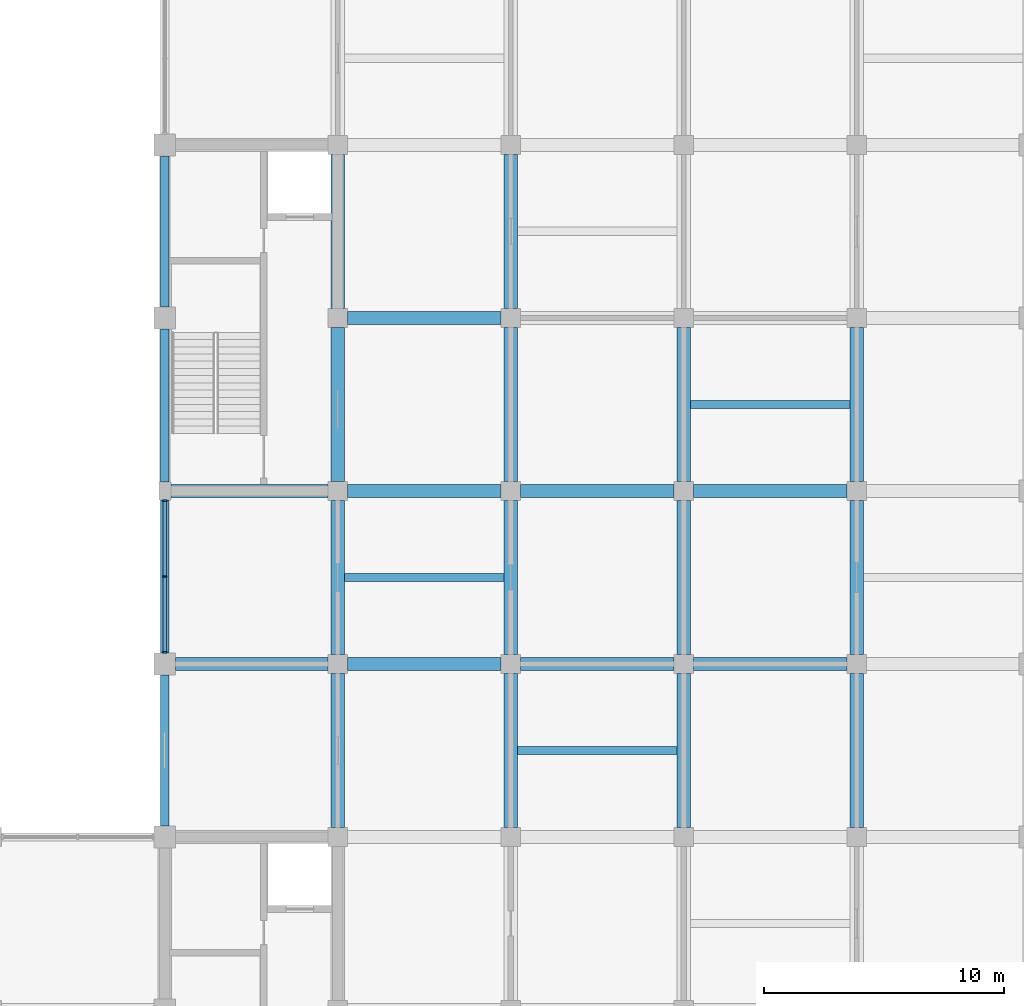
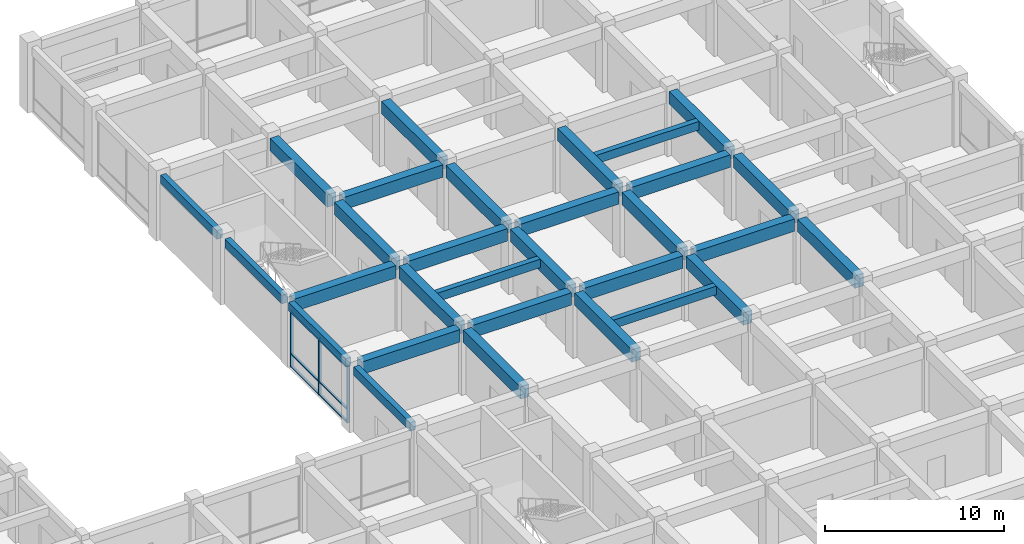
# One storey, part 14 of 75: 30 beams, 9 members, 1 element without a shape of its own.
"""IFC4 building model written with IfcOpenShell, lengths in metres."""

from ifc_helpers import new_model, si_unit, direction, frame, origin, origin_2d, place, context, subcontext, project, spatial, rectangle, extrude, material, layer, layer_set, material_profile, profile_set, type_object, element, aggregate, save


model = new_model("IFC4")

# Units and contexts
model_context = context("Model", 3, precision=1e-05, world=origin(), true_north=direction((0.0, 1.0)))
body_context = subcontext(model_context, "Body", "Model", "MODEL_VIEW")
ifc_project = project(units=[si_unit("LENGTHUNIT", "METRE"), si_unit("AREAUNIT", "SQUARE_METRE"), si_unit("VOLUMEUNIT", "CUBIC_METRE"), si_unit("PLANEANGLEUNIT", "RADIAN"), si_unit("MASSUNIT", "GRAM", prefix="KILO")], contexts=[model_context])

# Site, building, storey
site_placement = place(None, origin())
site = spatial("IfcSite", under=ifc_project, at=site_placement, CompositionType="ELEMENT")
building_placement = place(site_placement, origin())
building = spatial("IfcBuilding", under=site, at=building_placement, Name="Cendaluz Park School", CompositionType="ELEMENT")
storey_placement = place(building_placement, frame((0.0, 0.0, 4.800048828125)))
storey = spatial("IfcBuildingStorey", under=building, at=storey_placement, Name="L01", CompositionType="ELEMENT", Elevation=4.800048828125)

# Beams
ifc_material_1 = material(Name="Concrete C40/50", Category="concrete")
ifc_material_profile_1 = material_profile(ifc_material_1, rectangle(XDim=0.550048828125, YDim=0.85009765625, at=origin_2d()), Name="RC 550x850", Category="concrete")
ifc_profile_set_1 = profile_set([ifc_material_profile_1], Name="Concrete C40/50")
beam_type_1 = type_object("IfcBeamType", Name="BM-RC01", PredefinedType="BEAM", material=ifc_profile_set_1)
beam_1_placement = place(storey_placement, frame((65.25, 36.0, 4.0048828125), z_axis=(1.0, 0.0, 0.0), x_axis=(0.0, 1.0, 0.0)))
element("IfcBeam", 1, at=beam_1_placement, inside=storey, type_object=beam_type_1, Name="BM-L01-BMRC01-0086", PredefinedType="BEAM", context=body_context, shape_type="SweptSolid", body=[
    extrude(rectangle(XDim=0.550048828125, YDim=0.85009765625, at=origin_2d()), origin(), (0.0, 0.0, 1.0), 6.35009765625),
])
beam_2_placement = place(storey_placement, frame((65.050048828125, 43.199951171875, 4.0048828125), z_axis=(1.0, 0.0, 0.0), x_axis=(0.0, 1.0, 0.0)))
element("IfcBeam", 2, at=beam_2_placement, inside=storey, type_object=beam_type_1, Name="BM-L01-BMRC01-0087", PredefinedType="BEAM", context=body_context, shape_type="SweptSolid", body=[
    extrude(rectangle(XDim=0.550048828125, YDim=0.85009765625, at=origin_2d()), origin(), (0.0, 0.0, 1.0), 6.550048828125),
])
for number, where, z_axis, x_axis, name in (
    (3, (72.39990234375, 36.0, 4.0048828125), (1.0, 0.0, 0.0), (0.0, 1.0, 0.0), "BM-L01-BMRC01-0096"),
    (4, (72.39990234375, 43.199951171875, 4.0048828125), (1.0, 0.0, 0.0), (0.0, 1.0, 0.0), "BM-L01-BMRC01-0097"),
    (5, (72.39990234375, 50.39990234375, 4.0048828125), (1.0, 0.0, 0.0), (0.0, 1.0, 0.0), "BM-L01-BMRC01-0098"),
):
    element("IfcBeam", number, at=place(storey_placement, frame(where, z_axis=z_axis, x_axis=x_axis)), inside=storey, type_object=beam_type_1, Name=name, PredefinedType="BEAM", context=body_context, shape_type="SweptSolid", body=[
        extrude(rectangle(XDim=0.550048828125, YDim=0.85009765625, at=origin_2d()), origin(), (0.0, 0.0, 1.0), 6.400146484375),
    ])
for number, where, z_axis, x_axis, name in (
    (6, (79.60009765625, 36.0, 4.0048828125), (1.0, 0.0, 0.0), (0.0, 1.0, 0.0), "BM-L01-BMRC01-0107"),
    (7, (79.60009765625, 43.199951171875, 4.0048828125), (1.0, 0.0, 0.0), (0.0, 1.0, 0.0), "BM-L01-BMRC01-0108"),
    (8, (86.800048828125, 36.0, 4.0048828125), (1.0, 0.0, 0.0), (0.0, 1.0, 0.0), "BM-L01-BMRC01-0118"),
    (9, (86.800048828125, 43.199951171875, 4.0048828125), (1.0, 0.0, 0.0), (0.0, 1.0, 0.0), "BM-L01-BMRC01-0119"),
):
    element("IfcBeam", number, at=place(storey_placement, frame(where, z_axis=z_axis, x_axis=x_axis)), inside=storey, type_object=beam_type_1, Name=name, PredefinedType="BEAM", context=body_context, shape_type="SweptSolid", body=[
        extrude(rectangle(XDim=0.550048828125, YDim=0.85009765625, at=origin_2d()), origin(), (0.0, 0.0, 1.0), 6.39990234375),
    ])
for number, where, z_axis, x_axis, name in (
    (10, (72.0, 29.199951171875, 4.0048828125), (0.0, 1.0, 0.0), (-1.0, 0.0, 0.0), "BM-L01-BMRC01-0324"),
    (11, (72.0, 36.39990234375, 4.0048828125), (0.0, 1.0, 0.0), (-1.0, 0.0, 0.0), "BM-L01-BMRC01-0325"),
):
    element("IfcBeam", number, at=place(storey_placement, frame(where, z_axis=z_axis, x_axis=x_axis)), inside=storey, type_object=beam_type_1, Name=name, PredefinedType="BEAM", context=body_context, shape_type="SweptSolid", body=[
        extrude(rectangle(XDim=0.550048828125, YDim=0.85009765625, at=origin_2d()), origin(), (0.0, 0.0, 1.0), 6.400146484375),
    ])
for number, where, z_axis, x_axis, name in (
    (12, (72.0, 43.60009765625, 4.0048828125), (0.0, 1.0, 0.0), (-1.0, 0.0, 0.0), "BM-L01-BMRC01-0326"),
    (13, (72.0, 50.800048828125, 4.0048828125), (0.0, 1.0, 0.0), (-1.0, 0.0, 0.0), "BM-L01-BMRC01-0327"),
):
    element("IfcBeam", number, at=place(storey_placement, frame(where, z_axis=z_axis, x_axis=x_axis)), inside=storey, type_object=beam_type_1, Name=name, PredefinedType="BEAM", context=body_context, shape_type="SweptSolid", body=[
        extrude(rectangle(XDim=0.550048828125, YDim=0.85009765625, at=origin_2d()), origin(), (0.0, 0.0, 1.0), 6.39990234375),
    ])
for number, where, z_axis, x_axis, name in (
    (14, (79.199951171875, 29.199951171875, 4.0048828125), (0.0, 1.0, 0.0), (-1.0, 0.0, 0.0), "BM-L01-BMRC01-0334"),
    (15, (79.199951171875, 36.39990234375, 4.0048828125), (0.0, 1.0, 0.0), (-1.0, 0.0, 0.0), "BM-L01-BMRC01-0335"),
):
    element("IfcBeam", number, at=place(storey_placement, frame(where, z_axis=z_axis, x_axis=x_axis)), inside=storey, type_object=beam_type_1, Name=name, PredefinedType="BEAM", context=body_context, shape_type="SweptSolid", body=[
        extrude(rectangle(XDim=0.550048828125, YDim=0.85009765625, at=origin_2d()), origin(), (0.0, 0.0, 1.0), 6.400146484375),
    ])
for number, where, z_axis, x_axis, name in (
    (16, (79.199951171875, 43.60009765625, 4.0048828125), (0.0, 1.0, 0.0), (-1.0, 0.0, 0.0), "BM-L01-BMRC01-0336"),
    (17, (79.199951171875, 50.800048828125, 4.0048828125), (0.0, 1.0, 0.0), (-1.0, 0.0, 0.0), "BM-L01-BMRC01-0337"),
):
    element("IfcBeam", number, at=place(storey_placement, frame(where, z_axis=z_axis, x_axis=x_axis)), inside=storey, type_object=beam_type_1, Name=name, PredefinedType="BEAM", context=body_context, shape_type="SweptSolid", body=[
        extrude(rectangle(XDim=0.550048828125, YDim=0.85009765625, at=origin_2d()), origin(), (0.0, 0.0, 1.0), 6.39990234375),
    ])
for number, where, z_axis, x_axis, name in (
    (18, (86.39990234375, 29.199951171875, 4.0048828125), (0.0, 1.0, 0.0), (-1.0, 0.0, 0.0), "BM-L01-BMRC01-0344"),
    (19, (86.39990234375, 36.39990234375, 4.0048828125), (0.0, 1.0, 0.0), (-1.0, 0.0, 0.0), "BM-L01-BMRC01-0345"),
):
    element("IfcBeam", number, at=place(storey_placement, frame(where, z_axis=z_axis, x_axis=x_axis)), inside=storey, type_object=beam_type_1, Name=name, PredefinedType="BEAM", context=body_context, shape_type="SweptSolid", body=[
        extrude(rectangle(XDim=0.550048828125, YDim=0.85009765625, at=origin_2d()), origin(), (0.0, 0.0, 1.0), 6.400146484375),
    ])
beam_3_placement = place(storey_placement, frame((86.39990234375, 43.60009765625, 4.0048828125), z_axis=(0.0, 1.0, 0.0), x_axis=(-1.0, 0.0, 0.0)))
element("IfcBeam", 20, at=beam_3_placement, inside=storey, type_object=beam_type_1, Name="BM-L01-BMRC01-0346", PredefinedType="BEAM", context=body_context, shape_type="SweptSolid", body=[
    extrude(rectangle(XDim=0.550048828125, YDim=0.85009765625, at=origin_2d()), origin(), (0.0, 0.0, 1.0), 6.39990234375),
])
for number, where, z_axis, x_axis, name in (
    (21, (93.60009765625, 29.199951171875, 4.0048828125), (0.0, 1.0, 0.0), (-1.0, 0.0, 0.0), "BM-L01-BMRC01-0354"),
    (22, (93.60009765625, 36.39990234375, 4.0048828125), (0.0, 1.0, 0.0), (-1.0, 0.0, 0.0), "BM-L01-BMRC01-0355"),
):
    element("IfcBeam", number, at=place(storey_placement, frame(where, z_axis=z_axis, x_axis=x_axis)), inside=storey, type_object=beam_type_1, Name=name, PredefinedType="BEAM", context=body_context, shape_type="SweptSolid", body=[
        extrude(rectangle(XDim=0.550048828125, YDim=0.85009765625, at=origin_2d()), origin(), (0.0, 0.0, 1.0), 6.400146484375),
    ])
beam_4_placement = place(storey_placement, frame((93.60009765625, 43.60009765625, 4.0048828125), z_axis=(0.0, 1.0, 0.0), x_axis=(-1.0, 0.0, 0.0)))
element("IfcBeam", 23, at=beam_4_placement, inside=storey, type_object=beam_type_1, Name="BM-L01-BMRC01-0356", PredefinedType="BEAM", context=body_context, shape_type="SweptSolid", body=[
    extrude(rectangle(XDim=0.550048828125, YDim=0.85009765625, at=origin_2d()), origin(), (0.0, 0.0, 1.0), 6.39990234375),
])
ifc_material_profile_2 = material_profile(ifc_material_1, rectangle(XDim=0.35009765625, YDim=0.580078125, at=origin_2d()), Name="RC 350x580", Category="concrete")
ifc_profile_set_2 = profile_set([ifc_material_profile_2], Name="Concrete C40/50")
beam_type_2 = type_object("IfcBeamType", Name="BM-RC04", PredefinedType="LINTEL", material=ifc_profile_set_2)
beam_5_placement = place(storey_placement, frame((64.800048828125, 29.25, 4.139892578125), z_axis=(0.0, 1.0, 0.0), x_axis=(-1.0, 0.0, 0.0)))
element("IfcBeam", 24, at=beam_5_placement, inside=storey, type_object=beam_type_2, Name="BM-L01-BMRC04-0314", PredefinedType="LINTEL", context=body_context, shape_type="SweptSolid", body=[
    extrude(rectangle(XDim=0.35009765625, YDim=0.580078125, at=origin_2d()), origin(), (0.0, 0.0, 1.0), 6.300048828125),
])
for number, where, z_axis, x_axis, name in (
    (25, (64.800048828125, 36.449951171875, 4.139892578125), (0.0, 1.0, 0.0), (-1.0, 0.0, 0.0), "BM-L01-BMRC04-0315"),
    (26, (64.800048828125, 43.574951171875, 4.139892578125), (0.0, 1.0, 0.0), (-1.0, 0.0, 0.0), "BM-L01-BMRC04-0316"),
):
    element("IfcBeam", number, at=place(storey_placement, frame(where, z_axis=z_axis, x_axis=x_axis)), inside=storey, type_object=beam_type_2, Name=name, PredefinedType="LINTEL", context=body_context, shape_type="SweptSolid", body=[
        extrude(rectangle(XDim=0.35009765625, YDim=0.580078125, at=origin_2d()), origin(), (0.0, 0.0, 1.0), 6.375),
    ])
beam_6_placement = place(storey_placement, frame((64.800048828125, 50.85009765625, 4.139892578125), z_axis=(0.0, 1.0, 0.0), x_axis=(-1.0, 0.0, 0.0)))
element("IfcBeam", 27, at=beam_6_placement, inside=storey, type_object=beam_type_2, Name="BM-L01-BMRC04-0317", PredefinedType="LINTEL", context=body_context, shape_type="SweptSolid", body=[
    extrude(rectangle(XDim=0.35009765625, YDim=0.580078125, at=origin_2d()), origin(), (0.0, 0.0, 1.0), 6.2998046875),
])

# Curtain wall, members
ifc_material_2 = material(Name="Anodised Aluminium 6063-T6", Category="aluminium")
ifc_layer = layer(ifc_material_2, 0.179931640625)
ifc_layer_set = layer_set([ifc_layer], Name="Anodised Aluminium 6063-T6")
curtain_wall_type = type_object("IfcCurtainWallType", Name="CW-128x77", PredefinedType="NOTDEFINED", material=ifc_layer_set)
curtain_wall_placement = place(storey_placement, origin())
curtain_wall = element("IfcCurtainWall", 28, at=curtain_wall_placement, inside=storey, type_object=curtain_wall_type, Name="CW-L01-040", PredefinedType="NOTDEFINED")
ifc_material_profile_3 = material_profile(ifc_material_2, rectangle(XDim=0.179931640625, YDim=0.070068359375, at=origin_2d()), Name="CWM 180x70", Category="aluminium")
ifc_profile_set_3 = profile_set([ifc_material_profile_3], Name="Anodised Aluminium 6063-T6")
member_type_1 = type_object("IfcMemberType", Name="CWM-01", PredefinedType="MULLION", material=ifc_profile_set_3)
member_1_placement = place(storey_placement, frame((64.800048828125, 36.485107421875, 0.0), z_axis=(0.0, 0.0, 1.0), x_axis=(-1.0, 0.0, 0.0)))
member_1 = element("IfcMember", 29, at=member_1_placement, type_object=member_type_1, Name="CP-L01-0508", PredefinedType="MULLION", context=body_context, shape_type="SweptSolid", body=[
    extrude(rectangle(XDim=0.179931640625, YDim=0.070068359375, at=origin_2d()), origin(), (0.0, 0.0, 1.0), 3.849853515625),
])
member_2_placement = place(storey_placement, frame((64.800048828125, 39.637451171875, 0.0), z_axis=(0.0, 0.0, 1.0), x_axis=(-1.0, 0.0, 0.0)))
member_2 = element("IfcMember", 30, at=member_2_placement, type_object=member_type_1, Name="CP-L01-0509", PredefinedType="MULLION", context=body_context, shape_type="SweptSolid", body=[
    extrude(rectangle(XDim=0.179931640625, YDim=0.070068359375, at=origin_2d()), origin(), (0.0, 0.0, 1.0), 3.849853515625),
])
member_3_placement = place(storey_placement, frame((64.800048828125, 42.7900390625, 0.0), z_axis=(0.0, 0.0, 1.0), x_axis=(-1.0, 0.0, 0.0)))
member_3 = element("IfcMember", 31, at=member_3_placement, type_object=member_type_1, Name="CP-L01-0510", PredefinedType="MULLION", context=body_context, shape_type="SweptSolid", body=[
    extrude(rectangle(XDim=0.179931640625, YDim=0.070068359375, at=origin_2d()), origin(), (0.0, 0.0, 1.0), 3.849853515625),
])
ifc_material_profile_4 = material_profile(ifc_material_2, rectangle(XDim=0.139892578125, YDim=0.070068359375, at=origin_2d()), Name="CWT 140x70", Category="aluminium")
ifc_profile_set_4 = profile_set([ifc_material_profile_4], Name="Anodised Aluminium 6063-T6")
member_type_2 = type_object("IfcMemberType", Name="CWT-01", PredefinedType="USERDEFINED", material=ifc_profile_set_4)
member_4_placement = place(storey_placement, frame((64.800048828125, 36.52001953125, 0.034912109375), z_axis=(0.0, 1.0, 0.0), x_axis=(-1.0, 0.0, 0.0)))
member_4 = element("IfcMember", 32, at=member_4_placement, type_object=member_type_2, Name="CP-L01-0511", ObjectType="TRANSOM", PredefinedType="USERDEFINED", context=body_context, shape_type="SweptSolid", body=[
    extrude(rectangle(XDim=0.139892578125, YDim=0.070068359375, at=origin_2d()), origin(), (0.0, 0.0, 1.0), 3.08251953125),
])
member_5_placement = place(storey_placement, frame((64.800048828125, 36.52001953125, 0.89990234375), z_axis=(0.0, 1.0, 0.0), x_axis=(-1.0, 0.0, 0.0)))
member_5 = element("IfcMember", 33, at=member_5_placement, type_object=member_type_2, Name="CP-L01-0512", ObjectType="TRANSOM", PredefinedType="USERDEFINED", context=body_context, shape_type="SweptSolid", body=[
    extrude(rectangle(XDim=0.139892578125, YDim=0.070068359375, at=origin_2d()), origin(), (0.0, 0.0, 1.0), 3.08251953125),
])
member_6_placement = place(storey_placement, frame((64.800048828125, 36.52001953125, 3.81494140625), z_axis=(0.0, 1.0, 0.0), x_axis=(-1.0, 0.0, 0.0)))
member_6 = element("IfcMember", 34, at=member_6_placement, type_object=member_type_2, Name="CP-L01-0513", ObjectType="TRANSOM", PredefinedType="USERDEFINED", context=body_context, shape_type="SweptSolid", body=[
    extrude(rectangle(XDim=0.139892578125, YDim=0.070068359375, at=origin_2d()), origin(), (0.0, 0.0, 1.0), 3.08251953125),
])
member_7_placement = place(storey_placement, frame((64.800048828125, 39.672607421875, 0.034912109375), z_axis=(0.0, 1.0, 0.0), x_axis=(-1.0, 0.0, 0.0)))
member_7 = element("IfcMember", 35, at=member_7_placement, type_object=member_type_2, Name="CP-L01-0516", ObjectType="TRANSOM", PredefinedType="USERDEFINED", context=body_context, shape_type="SweptSolid", body=[
    extrude(rectangle(XDim=0.139892578125, YDim=0.070068359375, at=origin_2d()), origin(), (0.0, 0.0, 1.0), 3.082275390625),
])
member_8_placement = place(storey_placement, frame((64.800048828125, 39.672607421875, 0.89990234375), z_axis=(0.0, 1.0, 0.0), x_axis=(-1.0, 0.0, 0.0)))
member_8 = element("IfcMember", 36, at=member_8_placement, type_object=member_type_2, Name="CP-L01-0517", ObjectType="TRANSOM", PredefinedType="USERDEFINED", context=body_context, shape_type="SweptSolid", body=[
    extrude(rectangle(XDim=0.139892578125, YDim=0.070068359375, at=origin_2d()), origin(), (0.0, 0.0, 1.0), 3.082275390625),
])
member_9_placement = place(storey_placement, frame((64.800048828125, 39.672607421875, 3.81494140625), z_axis=(0.0, 1.0, 0.0), x_axis=(-1.0, 0.0, 0.0)))
member_9 = element("IfcMember", 37, at=member_9_placement, type_object=member_type_2, Name="CP-L01-0518", ObjectType="TRANSOM", PredefinedType="USERDEFINED", context=body_context, shape_type="SweptSolid", body=[
    extrude(rectangle(XDim=0.139892578125, YDim=0.070068359375, at=origin_2d()), origin(), (0.0, 0.0, 1.0), 3.082275390625),
])
aggregate(curtain_wall, [member_1, member_2, member_3, member_4, member_5, member_6, member_7, member_8, member_9])

# Beams
ifc_material_profile_5 = material_profile(ifc_material_1, rectangle(XDim=0.35009765625, YDim=0.580078125, at=origin_2d()), Name="RC 350x580", Category="concrete")
ifc_profile_set_5 = profile_set([ifc_material_profile_5], Name="Concrete C40/50")
beam_type_3 = type_object("IfcBeamType", Name="JT-RC01", PredefinedType="JOIST", material=ifc_profile_set_5)
beam_7_placement = place(storey_placement, frame((72.27490234375, 39.60009765625, 4.139892578125), z_axis=(1.0, 0.0, 0.0), x_axis=(0.0, 1.0, 0.0)))
element("IfcBeam", 38, at=beam_7_placement, inside=storey, type_object=beam_type_3, Name="BM-L01-JTRC01-0490", PredefinedType="JOIST", context=body_context, shape_type="SweptSolid", body=[
    extrude(rectangle(XDim=0.35009765625, YDim=0.580078125, at=origin_2d()), origin(), (0.0, 0.0, 1.0), 6.650146484375),
])
for number, where, z_axis, x_axis, name in (
    (39, (79.47509765625, 32.39990234375, 4.139892578125), (1.0, 0.0, 0.0), (0.0, 1.0, 0.0), "BM-L01-JTRC01-0493"),
    (40, (86.675048828125, 46.800048828125, 4.139892578125), (1.0, 0.0, 0.0), (0.0, 1.0, 0.0), "BM-L01-JTRC01-0497"),
):
    element("IfcBeam", number, at=place(storey_placement, frame(where, z_axis=z_axis, x_axis=x_axis)), inside=storey, type_object=beam_type_3, Name=name, PredefinedType="JOIST", context=body_context, shape_type="SweptSolid", body=[
        extrude(rectangle(XDim=0.35009765625, YDim=0.580078125, at=origin_2d()), origin(), (0.0, 0.0, 1.0), 6.64990234375),
    ])

save(model, "model.ifc")
